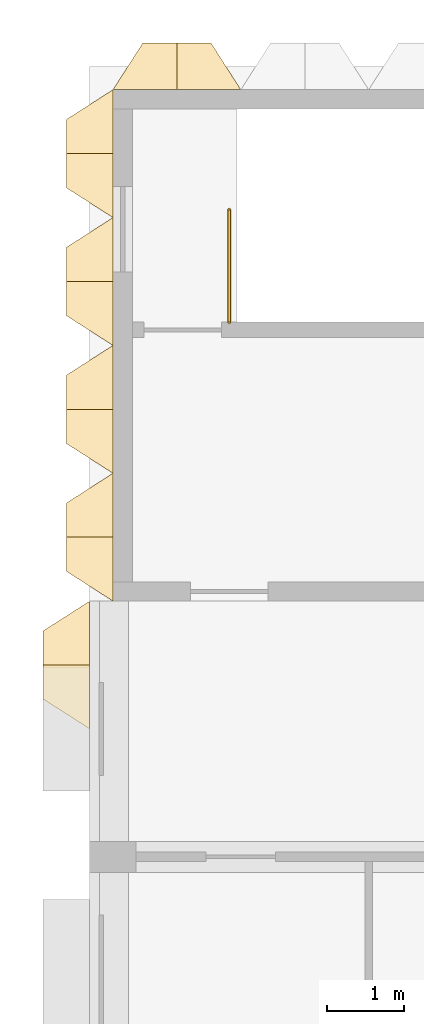
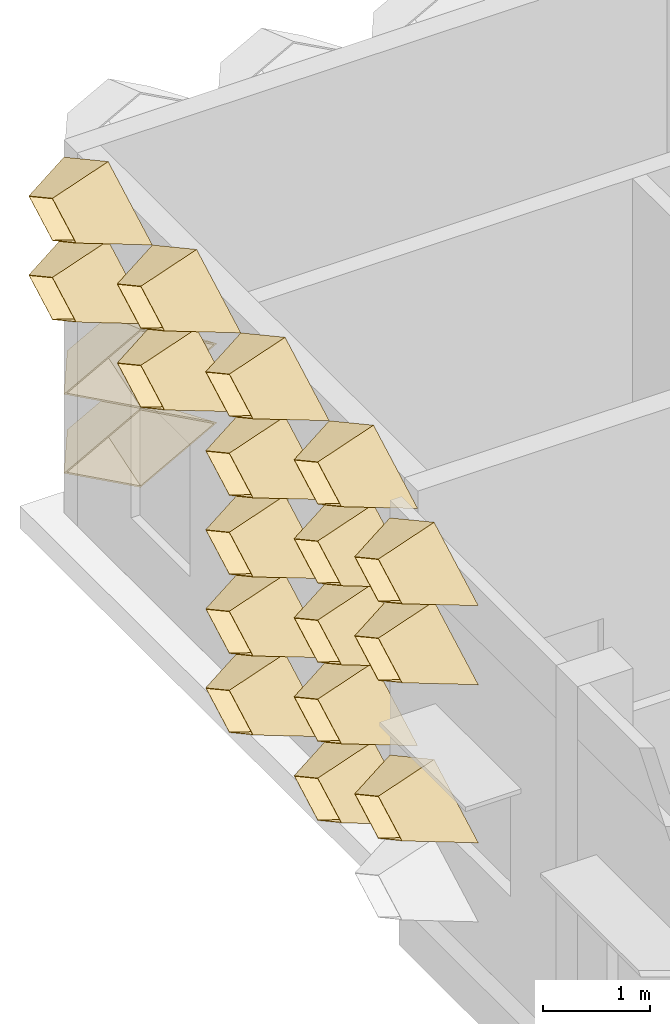
# One storey, part 74 of 85: 19 coverings, 1 railing.
"""IFC4 building model written with IfcOpenShell, lengths in metres."""

from ifc_helpers import new_model, entity, si_unit, direction, frame, origin, origin_2d, place, context, subcontext, project, spatial, circle, extrude, material, layer, layer_set, type_object, element, save


model = new_model("IFC4")

# Units and contexts
model_context = context("Model", 3, precision=1e-05, world=origin(), true_north=direction((0.0, 1.0)))
body_context = subcontext(model_context, "Body", "Model", "MODEL_VIEW")
ifc_project = project(units=[si_unit("LENGTHUNIT", "METRE"), si_unit("AREAUNIT", "SQUARE_METRE"), si_unit("VOLUMEUNIT", "CUBIC_METRE"), si_unit("PLANEANGLEUNIT", "RADIAN"), si_unit("MASSUNIT", "GRAM", prefix="KILO")], contexts=[model_context])

# Site, building, storey
site_placement = place(None, origin())
site = spatial("IfcSite", under=ifc_project, at=site_placement, CompositionType="ELEMENT")
building_placement = place(site_placement, origin())
building = spatial("IfcBuilding", under=site, at=building_placement, Name="Lantern Court Research Institute", CompositionType="ELEMENT")
storey_placement = place(building_placement, frame((0.0, 0.0, 18.89990234375)))
storey = spatial("IfcBuildingStorey", under=building, at=storey_placement, Name="L04", CompositionType="ELEMENT", Elevation=18.89990234375)

# Coverings
ifc_material_1 = material(Name="Anodised aluminium", Category="aluminium")
ifc_layer = layer(ifc_material_1, 0.01611328125)
ifc_layer_set = layer_set([ifc_layer], Name="Anodised aluminium")
covering_type = type_object("IfcCoveringType", Name="Fin cassette 1650 x 900 x 600 aluminium", PredefinedType="CLADDING", material=ifc_layer_set)
covering_1_placement = place(storey_placement, frame((0.824951171875, 99.0, 0.4501953125), z_axis=(0.0, 1.0, 0.0), x_axis=(-1.0, 0.0, 0.0)))
cartesian_point_1 = entity("IfcCartesianPoint", [0.824951171875, 0.0])
cartesian_point_2 = entity("IfcCartesianPoint", [0.79150390625, 0.0])
cartesian_point_3 = entity("IfcCartesianPoint", [0.44189453125, 0.0])
cartesian_point_4 = entity("IfcCartesianPoint", [0.43359375, 0.0])
element("IfcCovering", 1, at=covering_1_placement, inside=storey, type_object=covering_type, Name="Fin cassette V6N-L04 1.1", PredefinedType="CLADDING", context=body_context, shape_type="SweptSolid", body=[
    entity("IfcExtrudedAreaSolidTapered", entity("IfcArbitraryProfileDefWithVoids", "AREA", None, entity("IfcPolyline", [cartesian_point_1, entity("IfcCartesianPoint", [0.0, 0.449951171875]), entity("IfcCartesianPoint", [-0.824951171875, 0.0]), entity("IfcCartesianPoint", [0.0, -0.449951171875]), cartesian_point_1]), [entity("IfcPolyline", [cartesian_point_2, entity("IfcCartesianPoint", [0.0, 0.431884765625]), entity("IfcCartesianPoint", [-0.79150390625, 0.0]), entity("IfcCartesianPoint", [0.0, -0.431884765625]), cartesian_point_2])]), entity("IfcAxis2Placement3D", entity("IfcCartesianPoint", [0.0, 0.0, 0.0])), entity("IfcDirection", [0.0, 0.0, 1.0]), 0.60009765625, entity("IfcArbitraryProfileDefWithVoids", "AREA", None, entity("IfcPolyline", [cartesian_point_3, entity("IfcCartesianPoint", [0.0, 0.240966796875]), entity("IfcCartesianPoint", [-0.44189453125, 0.0]), entity("IfcCartesianPoint", [0.0, -0.240966796875]), cartesian_point_3]), [entity("IfcPolyline", [cartesian_point_4, entity("IfcCartesianPoint", [0.0, 0.236572265625]), entity("IfcCartesianPoint", [-0.43359375, 0.0]), entity("IfcCartesianPoint", [0.0, -0.236572265625]), cartesian_point_4])])),
])
covering_2_placement = place(storey_placement, frame((0.824951171875, 99.0, 1.35009765625), z_axis=(0.0, 1.0, 0.0), x_axis=(-1.0, 0.0, 0.0)))
cartesian_point_5 = entity("IfcCartesianPoint", [0.824951171875, 0.0])
cartesian_point_6 = entity("IfcCartesianPoint", [0.79150390625, 0.0])
cartesian_point_7 = entity("IfcCartesianPoint", [0.44189453125, 0.0])
cartesian_point_8 = entity("IfcCartesianPoint", [0.43359375, 0.0])
element("IfcCovering", 2, at=covering_2_placement, inside=storey, type_object=covering_type, Name="Fin cassette V6N-L04 2.1", PredefinedType="CLADDING", context=body_context, shape_type="SweptSolid", body=[
    entity("IfcExtrudedAreaSolidTapered", entity("IfcArbitraryProfileDefWithVoids", "AREA", None, entity("IfcPolyline", [cartesian_point_5, entity("IfcCartesianPoint", [0.0, 0.449951171875]), entity("IfcCartesianPoint", [-0.824951171875, 0.0]), entity("IfcCartesianPoint", [0.0, -0.449951171875]), cartesian_point_5]), [entity("IfcPolyline", [cartesian_point_6, entity("IfcCartesianPoint", [0.0, 0.431884765625]), entity("IfcCartesianPoint", [-0.79150390625, 0.0]), entity("IfcCartesianPoint", [0.0, -0.431884765625]), cartesian_point_6])]), entity("IfcAxis2Placement3D", entity("IfcCartesianPoint", [0.0, 0.0, 0.0])), entity("IfcDirection", [0.0, 0.0, 1.0]), 0.60009765625, entity("IfcArbitraryProfileDefWithVoids", "AREA", None, entity("IfcPolyline", [cartesian_point_7, entity("IfcCartesianPoint", [0.0, 0.240966796875]), entity("IfcCartesianPoint", [-0.44189453125, 0.0]), entity("IfcCartesianPoint", [0.0, -0.240966796875]), cartesian_point_7]), [entity("IfcPolyline", [cartesian_point_8, entity("IfcCartesianPoint", [0.0, 0.236572265625]), entity("IfcCartesianPoint", [-0.43359375, 0.0]), entity("IfcCartesianPoint", [0.0, -0.236572265625]), cartesian_point_8])])),
])
covering_3_placement = place(storey_placement, frame((0.0, 93.22509765625, 0.4501953125), z_axis=(-1.0, 0.0, 0.0), x_axis=(0.0, -1.0, 0.0)))
cartesian_point_9 = entity("IfcCartesianPoint", [0.824951171875, 0.0])
cartesian_point_10 = entity("IfcCartesianPoint", [0.79150390625, 0.0])
cartesian_point_11 = entity("IfcCartesianPoint", [0.44189453125, 0.0])
cartesian_point_12 = entity("IfcCartesianPoint", [0.43359375, 0.0])
element("IfcCovering", 3, at=covering_3_placement, inside=storey, type_object=covering_type, Name="Fin cassette V6W-L04 1.57", PredefinedType="CLADDING", context=body_context, shape_type="SweptSolid", body=[
    entity("IfcExtrudedAreaSolidTapered", entity("IfcArbitraryProfileDefWithVoids", "AREA", None, entity("IfcPolyline", [cartesian_point_9, entity("IfcCartesianPoint", [0.0, 0.449951171875]), entity("IfcCartesianPoint", [-0.824951171875, 0.0]), entity("IfcCartesianPoint", [0.0, -0.449951171875]), cartesian_point_9]), [entity("IfcPolyline", [cartesian_point_10, entity("IfcCartesianPoint", [0.0, 0.431884765625]), entity("IfcCartesianPoint", [-0.79150390625, 0.0]), entity("IfcCartesianPoint", [0.0, -0.431884765625]), cartesian_point_10])]), entity("IfcAxis2Placement3D", entity("IfcCartesianPoint", [0.0, 0.0, 0.0])), entity("IfcDirection", [0.0, 0.0, 1.0]), 0.60009765625, entity("IfcArbitraryProfileDefWithVoids", "AREA", None, entity("IfcPolyline", [cartesian_point_11, entity("IfcCartesianPoint", [0.0, 0.240966796875]), entity("IfcCartesianPoint", [-0.44189453125, 0.0]), entity("IfcCartesianPoint", [0.0, -0.240966796875]), cartesian_point_11]), [entity("IfcPolyline", [cartesian_point_12, entity("IfcCartesianPoint", [0.0, 0.236572265625]), entity("IfcCartesianPoint", [-0.43359375, 0.0]), entity("IfcCartesianPoint", [0.0, -0.236572265625]), cartesian_point_12])])),
])
covering_4_placement = place(storey_placement, frame((0.0, 94.875, 0.4501953125), z_axis=(-1.0, 0.0, 0.0), x_axis=(0.0, -1.0, 0.0)))
cartesian_point_13 = entity("IfcCartesianPoint", [0.824951171875, 0.0])
cartesian_point_14 = entity("IfcCartesianPoint", [0.79150390625, 0.0])
cartesian_point_15 = entity("IfcCartesianPoint", [0.44189453125, 0.0])
cartesian_point_16 = entity("IfcCartesianPoint", [0.43359375, 0.0])
element("IfcCovering", 4, at=covering_4_placement, inside=storey, type_object=covering_type, Name="Fin cassette V6W-L04 1.58", PredefinedType="CLADDING", context=body_context, shape_type="SweptSolid", body=[
    entity("IfcExtrudedAreaSolidTapered", entity("IfcArbitraryProfileDefWithVoids", "AREA", None, entity("IfcPolyline", [cartesian_point_13, entity("IfcCartesianPoint", [0.0, 0.449951171875]), entity("IfcCartesianPoint", [-0.824951171875, 0.0]), entity("IfcCartesianPoint", [0.0, -0.449951171875]), cartesian_point_13]), [entity("IfcPolyline", [cartesian_point_14, entity("IfcCartesianPoint", [0.0, 0.431884765625]), entity("IfcCartesianPoint", [-0.79150390625, 0.0]), entity("IfcCartesianPoint", [0.0, -0.431884765625]), cartesian_point_14])]), entity("IfcAxis2Placement3D", entity("IfcCartesianPoint", [0.0, 0.0, 0.0])), entity("IfcDirection", [0.0, 0.0, 1.0]), 0.60009765625, entity("IfcArbitraryProfileDefWithVoids", "AREA", None, entity("IfcPolyline", [cartesian_point_15, entity("IfcCartesianPoint", [0.0, 0.240966796875]), entity("IfcCartesianPoint", [-0.44189453125, 0.0]), entity("IfcCartesianPoint", [0.0, -0.240966796875]), cartesian_point_15]), [entity("IfcPolyline", [cartesian_point_16, entity("IfcCartesianPoint", [0.0, 0.236572265625]), entity("IfcCartesianPoint", [-0.43359375, 0.0]), entity("IfcCartesianPoint", [0.0, -0.236572265625]), cartesian_point_16])])),
])
covering_5_placement = place(storey_placement, frame((0.0, 93.22509765625, 1.35009765625), z_axis=(-1.0, 0.0, 0.0), x_axis=(0.0, -1.0, 0.0)))
cartesian_point_17 = entity("IfcCartesianPoint", [0.824951171875, 0.0])
cartesian_point_18 = entity("IfcCartesianPoint", [0.79150390625, 0.0])
cartesian_point_19 = entity("IfcCartesianPoint", [0.44189453125, 0.0])
cartesian_point_20 = entity("IfcCartesianPoint", [0.43359375, 0.0])
element("IfcCovering", 5, at=covering_5_placement, inside=storey, type_object=covering_type, Name="Fin cassette V6W-L04 2.57", PredefinedType="CLADDING", context=body_context, shape_type="SweptSolid", body=[
    entity("IfcExtrudedAreaSolidTapered", entity("IfcArbitraryProfileDefWithVoids", "AREA", None, entity("IfcPolyline", [cartesian_point_17, entity("IfcCartesianPoint", [0.0, 0.449951171875]), entity("IfcCartesianPoint", [-0.824951171875, 0.0]), entity("IfcCartesianPoint", [0.0, -0.449951171875]), cartesian_point_17]), [entity("IfcPolyline", [cartesian_point_18, entity("IfcCartesianPoint", [0.0, 0.431884765625]), entity("IfcCartesianPoint", [-0.79150390625, 0.0]), entity("IfcCartesianPoint", [0.0, -0.431884765625]), cartesian_point_18])]), entity("IfcAxis2Placement3D", entity("IfcCartesianPoint", [0.0, 0.0, 0.0])), entity("IfcDirection", [0.0, 0.0, 1.0]), 0.60009765625, entity("IfcArbitraryProfileDefWithVoids", "AREA", None, entity("IfcPolyline", [cartesian_point_19, entity("IfcCartesianPoint", [0.0, 0.240966796875]), entity("IfcCartesianPoint", [-0.44189453125, 0.0]), entity("IfcCartesianPoint", [0.0, -0.240966796875]), cartesian_point_19]), [entity("IfcPolyline", [cartesian_point_20, entity("IfcCartesianPoint", [0.0, 0.236572265625]), entity("IfcCartesianPoint", [-0.43359375, 0.0]), entity("IfcCartesianPoint", [0.0, -0.236572265625]), cartesian_point_20])])),
])
covering_6_placement = place(storey_placement, frame((0.0, 94.875, 1.35009765625), z_axis=(-1.0, 0.0, 0.0), x_axis=(0.0, -1.0, 0.0)))
cartesian_point_21 = entity("IfcCartesianPoint", [0.824951171875, 0.0])
cartesian_point_22 = entity("IfcCartesianPoint", [0.79150390625, 0.0])
cartesian_point_23 = entity("IfcCartesianPoint", [0.44189453125, 0.0])
cartesian_point_24 = entity("IfcCartesianPoint", [0.43359375, 0.0])
element("IfcCovering", 6, at=covering_6_placement, inside=storey, type_object=covering_type, Name="Fin cassette V6W-L04 2.58", PredefinedType="CLADDING", context=body_context, shape_type="SweptSolid", body=[
    entity("IfcExtrudedAreaSolidTapered", entity("IfcArbitraryProfileDefWithVoids", "AREA", None, entity("IfcPolyline", [cartesian_point_21, entity("IfcCartesianPoint", [0.0, 0.449951171875]), entity("IfcCartesianPoint", [-0.824951171875, 0.0]), entity("IfcCartesianPoint", [0.0, -0.449951171875]), cartesian_point_21]), [entity("IfcPolyline", [cartesian_point_22, entity("IfcCartesianPoint", [0.0, 0.431884765625]), entity("IfcCartesianPoint", [-0.79150390625, 0.0]), entity("IfcCartesianPoint", [0.0, -0.431884765625]), cartesian_point_22])]), entity("IfcAxis2Placement3D", entity("IfcCartesianPoint", [0.0, 0.0, 0.0])), entity("IfcDirection", [0.0, 0.0, 1.0]), 0.60009765625, entity("IfcArbitraryProfileDefWithVoids", "AREA", None, entity("IfcPolyline", [cartesian_point_23, entity("IfcCartesianPoint", [0.0, 0.240966796875]), entity("IfcCartesianPoint", [-0.44189453125, 0.0]), entity("IfcCartesianPoint", [0.0, -0.240966796875]), cartesian_point_23]), [entity("IfcPolyline", [cartesian_point_24, entity("IfcCartesianPoint", [0.0, 0.236572265625]), entity("IfcCartesianPoint", [-0.43359375, 0.0]), entity("IfcCartesianPoint", [0.0, -0.236572265625]), cartesian_point_24])])),
])
covering_7_placement = place(storey_placement, frame((0.0, 93.22509765625, 2.25), z_axis=(-1.0, 0.0, 0.0), x_axis=(0.0, -1.0, 0.0)))
cartesian_point_25 = entity("IfcCartesianPoint", [0.824951171875, 0.0])
cartesian_point_26 = entity("IfcCartesianPoint", [0.79150390625, 0.0])
cartesian_point_27 = entity("IfcCartesianPoint", [0.44189453125, 0.0])
cartesian_point_28 = entity("IfcCartesianPoint", [0.43359375, 0.0])
element("IfcCovering", 7, at=covering_7_placement, inside=storey, type_object=covering_type, Name="Fin cassette V6W-L04 3.57", PredefinedType="CLADDING", context=body_context, shape_type="SweptSolid", body=[
    entity("IfcExtrudedAreaSolidTapered", entity("IfcArbitraryProfileDefWithVoids", "AREA", None, entity("IfcPolyline", [cartesian_point_25, entity("IfcCartesianPoint", [0.0, 0.449951171875]), entity("IfcCartesianPoint", [-0.824951171875, 0.0]), entity("IfcCartesianPoint", [0.0, -0.449951171875]), cartesian_point_25]), [entity("IfcPolyline", [cartesian_point_26, entity("IfcCartesianPoint", [0.0, 0.431884765625]), entity("IfcCartesianPoint", [-0.79150390625, 0.0]), entity("IfcCartesianPoint", [0.0, -0.431884765625]), cartesian_point_26])]), entity("IfcAxis2Placement3D", entity("IfcCartesianPoint", [0.0, 0.0, 0.0])), entity("IfcDirection", [0.0, 0.0, 1.0]), 0.60009765625, entity("IfcArbitraryProfileDefWithVoids", "AREA", None, entity("IfcPolyline", [cartesian_point_27, entity("IfcCartesianPoint", [0.0, 0.240966796875]), entity("IfcCartesianPoint", [-0.44189453125, 0.0]), entity("IfcCartesianPoint", [0.0, -0.240966796875]), cartesian_point_27]), [entity("IfcPolyline", [cartesian_point_28, entity("IfcCartesianPoint", [0.0, 0.236572265625]), entity("IfcCartesianPoint", [-0.43359375, 0.0]), entity("IfcCartesianPoint", [0.0, -0.236572265625]), cartesian_point_28])])),
])
covering_8_placement = place(storey_placement, frame((0.0, 94.875, 2.25), z_axis=(-1.0, 0.0, 0.0), x_axis=(0.0, -1.0, 0.0)))
cartesian_point_29 = entity("IfcCartesianPoint", [0.824951171875, 0.0])
cartesian_point_30 = entity("IfcCartesianPoint", [0.79150390625, 0.0])
cartesian_point_31 = entity("IfcCartesianPoint", [0.44189453125, 0.0])
cartesian_point_32 = entity("IfcCartesianPoint", [0.43359375, 0.0])
element("IfcCovering", 8, at=covering_8_placement, inside=storey, type_object=covering_type, Name="Fin cassette V6W-L04 3.58", PredefinedType="CLADDING", context=body_context, shape_type="SweptSolid", body=[
    entity("IfcExtrudedAreaSolidTapered", entity("IfcArbitraryProfileDefWithVoids", "AREA", None, entity("IfcPolyline", [cartesian_point_29, entity("IfcCartesianPoint", [0.0, 0.449951171875]), entity("IfcCartesianPoint", [-0.824951171875, 0.0]), entity("IfcCartesianPoint", [0.0, -0.449951171875]), cartesian_point_29]), [entity("IfcPolyline", [cartesian_point_30, entity("IfcCartesianPoint", [0.0, 0.431884765625]), entity("IfcCartesianPoint", [-0.79150390625, 0.0]), entity("IfcCartesianPoint", [0.0, -0.431884765625]), cartesian_point_30])]), entity("IfcAxis2Placement3D", entity("IfcCartesianPoint", [0.0, 0.0, 0.0])), entity("IfcDirection", [0.0, 0.0, 1.0]), 0.60009765625, entity("IfcArbitraryProfileDefWithVoids", "AREA", None, entity("IfcPolyline", [cartesian_point_31, entity("IfcCartesianPoint", [0.0, 0.240966796875]), entity("IfcCartesianPoint", [-0.44189453125, 0.0]), entity("IfcCartesianPoint", [0.0, -0.240966796875]), cartesian_point_31]), [entity("IfcPolyline", [cartesian_point_32, entity("IfcCartesianPoint", [0.0, 0.236572265625]), entity("IfcCartesianPoint", [-0.43359375, 0.0]), entity("IfcCartesianPoint", [0.0, -0.236572265625]), cartesian_point_32])])),
])
covering_9_placement = place(storey_placement, frame((0.0, 93.22509765625, 3.150146484375), z_axis=(-1.0, 0.0, 0.0), x_axis=(0.0, -1.0, 0.0)))
cartesian_point_33 = entity("IfcCartesianPoint", [0.824951171875, 0.0])
cartesian_point_34 = entity("IfcCartesianPoint", [0.79150390625, 0.0])
cartesian_point_35 = entity("IfcCartesianPoint", [0.44189453125, 0.0])
cartesian_point_36 = entity("IfcCartesianPoint", [0.43359375, 0.0])
element("IfcCovering", 9, at=covering_9_placement, inside=storey, type_object=covering_type, Name="Fin cassette V6W-L04 4.57", PredefinedType="CLADDING", context=body_context, shape_type="SweptSolid", body=[
    entity("IfcExtrudedAreaSolidTapered", entity("IfcArbitraryProfileDefWithVoids", "AREA", None, entity("IfcPolyline", [cartesian_point_33, entity("IfcCartesianPoint", [0.0, 0.449951171875]), entity("IfcCartesianPoint", [-0.824951171875, 0.0]), entity("IfcCartesianPoint", [0.0, -0.449951171875]), cartesian_point_33]), [entity("IfcPolyline", [cartesian_point_34, entity("IfcCartesianPoint", [0.0, 0.431884765625]), entity("IfcCartesianPoint", [-0.79150390625, 0.0]), entity("IfcCartesianPoint", [0.0, -0.431884765625]), cartesian_point_34])]), entity("IfcAxis2Placement3D", entity("IfcCartesianPoint", [0.0, 0.0, 0.0])), entity("IfcDirection", [0.0, 0.0, 1.0]), 0.60009765625, entity("IfcArbitraryProfileDefWithVoids", "AREA", None, entity("IfcPolyline", [cartesian_point_35, entity("IfcCartesianPoint", [0.0, 0.240966796875]), entity("IfcCartesianPoint", [-0.44189453125, 0.0]), entity("IfcCartesianPoint", [0.0, -0.240966796875]), cartesian_point_35]), [entity("IfcPolyline", [cartesian_point_36, entity("IfcCartesianPoint", [0.0, 0.236572265625]), entity("IfcCartesianPoint", [-0.43359375, 0.0]), entity("IfcCartesianPoint", [0.0, -0.236572265625]), cartesian_point_36])])),
])
covering_10_placement = place(storey_placement, frame((0.0, 94.875, 3.150146484375), z_axis=(-1.0, 0.0, 0.0), x_axis=(0.0, -1.0, 0.0)))
cartesian_point_37 = entity("IfcCartesianPoint", [0.824951171875, 0.0])
cartesian_point_38 = entity("IfcCartesianPoint", [0.79150390625, 0.0])
cartesian_point_39 = entity("IfcCartesianPoint", [0.44189453125, 0.0])
cartesian_point_40 = entity("IfcCartesianPoint", [0.43359375, 0.0])
element("IfcCovering", 10, at=covering_10_placement, inside=storey, type_object=covering_type, Name="Fin cassette V6W-L04 4.58", PredefinedType="CLADDING", context=body_context, shape_type="SweptSolid", body=[
    entity("IfcExtrudedAreaSolidTapered", entity("IfcArbitraryProfileDefWithVoids", "AREA", None, entity("IfcPolyline", [cartesian_point_37, entity("IfcCartesianPoint", [0.0, 0.449951171875]), entity("IfcCartesianPoint", [-0.824951171875, 0.0]), entity("IfcCartesianPoint", [0.0, -0.449951171875]), cartesian_point_37]), [entity("IfcPolyline", [cartesian_point_38, entity("IfcCartesianPoint", [0.0, 0.431884765625]), entity("IfcCartesianPoint", [-0.79150390625, 0.0]), entity("IfcCartesianPoint", [0.0, -0.431884765625]), cartesian_point_38])]), entity("IfcAxis2Placement3D", entity("IfcCartesianPoint", [0.0, 0.0, 0.0])), entity("IfcDirection", [0.0, 0.0, 1.0]), 0.60009765625, entity("IfcArbitraryProfileDefWithVoids", "AREA", None, entity("IfcPolyline", [cartesian_point_39, entity("IfcCartesianPoint", [0.0, 0.240966796875]), entity("IfcCartesianPoint", [-0.44189453125, 0.0]), entity("IfcCartesianPoint", [0.0, -0.240966796875]), cartesian_point_39]), [entity("IfcPolyline", [cartesian_point_40, entity("IfcCartesianPoint", [0.0, 0.236572265625]), entity("IfcCartesianPoint", [-0.43359375, 0.0]), entity("IfcCartesianPoint", [0.0, -0.236572265625]), cartesian_point_40])])),
])
covering_11_placement = place(storey_placement, frame((0.0, 96.52490234375, 3.150146484375), z_axis=(-1.0, 0.0, 0.0), x_axis=(0.0, -1.0, 0.0)))
cartesian_point_41 = entity("IfcCartesianPoint", [0.824951171875, 0.0])
cartesian_point_42 = entity("IfcCartesianPoint", [0.79150390625, 0.0])
cartesian_point_43 = entity("IfcCartesianPoint", [0.44189453125, 0.0])
cartesian_point_44 = entity("IfcCartesianPoint", [0.43359375, 0.0])
element("IfcCovering", 11, at=covering_11_placement, inside=storey, type_object=covering_type, Name="Fin cassette V6W-L04 4.59", PredefinedType="CLADDING", context=body_context, shape_type="SweptSolid", body=[
    entity("IfcExtrudedAreaSolidTapered", entity("IfcArbitraryProfileDefWithVoids", "AREA", None, entity("IfcPolyline", [cartesian_point_41, entity("IfcCartesianPoint", [0.0, 0.449951171875]), entity("IfcCartesianPoint", [-0.824951171875, 0.0]), entity("IfcCartesianPoint", [0.0, -0.449951171875]), cartesian_point_41]), [entity("IfcPolyline", [cartesian_point_42, entity("IfcCartesianPoint", [0.0, 0.431884765625]), entity("IfcCartesianPoint", [-0.79150390625, 0.0]), entity("IfcCartesianPoint", [0.0, -0.431884765625]), cartesian_point_42])]), entity("IfcAxis2Placement3D", entity("IfcCartesianPoint", [0.0, 0.0, 0.0])), entity("IfcDirection", [0.0, 0.0, 1.0]), 0.60009765625, entity("IfcArbitraryProfileDefWithVoids", "AREA", None, entity("IfcPolyline", [cartesian_point_43, entity("IfcCartesianPoint", [0.0, 0.240966796875]), entity("IfcCartesianPoint", [-0.44189453125, 0.0]), entity("IfcCartesianPoint", [0.0, -0.240966796875]), cartesian_point_43]), [entity("IfcPolyline", [cartesian_point_44, entity("IfcCartesianPoint", [0.0, 0.236572265625]), entity("IfcCartesianPoint", [-0.43359375, 0.0]), entity("IfcCartesianPoint", [0.0, -0.236572265625]), cartesian_point_44])])),
])
covering_12_placement = place(storey_placement, frame((0.0, 98.175048828125, 3.150146484375), z_axis=(-1.0, 0.0, 0.0), x_axis=(0.0, -1.0, 0.0)))
cartesian_point_45 = entity("IfcCartesianPoint", [0.824951171875, 0.0])
cartesian_point_46 = entity("IfcCartesianPoint", [0.79150390625, 0.0])
cartesian_point_47 = entity("IfcCartesianPoint", [0.44189453125, 0.0])
cartesian_point_48 = entity("IfcCartesianPoint", [0.43359375, 0.0])
element("IfcCovering", 12, at=covering_12_placement, inside=storey, type_object=covering_type, Name="Fin cassette V6W-L04 4.60", PredefinedType="CLADDING", context=body_context, shape_type="SweptSolid", body=[
    entity("IfcExtrudedAreaSolidTapered", entity("IfcArbitraryProfileDefWithVoids", "AREA", None, entity("IfcPolyline", [cartesian_point_45, entity("IfcCartesianPoint", [0.0, 0.449951171875]), entity("IfcCartesianPoint", [-0.824951171875, 0.0]), entity("IfcCartesianPoint", [0.0, -0.449951171875]), cartesian_point_45]), [entity("IfcPolyline", [cartesian_point_46, entity("IfcCartesianPoint", [0.0, 0.431884765625]), entity("IfcCartesianPoint", [-0.79150390625, 0.0]), entity("IfcCartesianPoint", [0.0, -0.431884765625]), cartesian_point_46])]), entity("IfcAxis2Placement3D", entity("IfcCartesianPoint", [0.0, 0.0, 0.0])), entity("IfcDirection", [0.0, 0.0, 1.0]), 0.60009765625, entity("IfcArbitraryProfileDefWithVoids", "AREA", None, entity("IfcPolyline", [cartesian_point_47, entity("IfcCartesianPoint", [0.0, 0.240966796875]), entity("IfcCartesianPoint", [-0.44189453125, 0.0]), entity("IfcCartesianPoint", [0.0, -0.240966796875]), cartesian_point_47]), [entity("IfcPolyline", [cartesian_point_48, entity("IfcCartesianPoint", [0.0, 0.236572265625]), entity("IfcCartesianPoint", [-0.43359375, 0.0]), entity("IfcCartesianPoint", [0.0, -0.236572265625]), cartesian_point_48])])),
])
covering_13_placement = place(storey_placement, frame((0.0, 93.22509765625, 4.050048828125), z_axis=(-1.0, 0.0, 0.0), x_axis=(0.0, -1.0, 0.0)))
cartesian_point_49 = entity("IfcCartesianPoint", [0.824951171875, 0.0])
cartesian_point_50 = entity("IfcCartesianPoint", [0.79150390625, 0.0])
cartesian_point_51 = entity("IfcCartesianPoint", [0.44189453125, 0.0])
cartesian_point_52 = entity("IfcCartesianPoint", [0.43359375, 0.0])
element("IfcCovering", 13, at=covering_13_placement, inside=storey, type_object=covering_type, Name="Fin cassette V6W-L04 5.57", PredefinedType="CLADDING", context=body_context, shape_type="SweptSolid", body=[
    entity("IfcExtrudedAreaSolidTapered", entity("IfcArbitraryProfileDefWithVoids", "AREA", None, entity("IfcPolyline", [cartesian_point_49, entity("IfcCartesianPoint", [0.0, 0.449951171875]), entity("IfcCartesianPoint", [-0.824951171875, 0.0]), entity("IfcCartesianPoint", [0.0, -0.449951171875]), cartesian_point_49]), [entity("IfcPolyline", [cartesian_point_50, entity("IfcCartesianPoint", [0.0, 0.431884765625]), entity("IfcCartesianPoint", [-0.79150390625, 0.0]), entity("IfcCartesianPoint", [0.0, -0.431884765625]), cartesian_point_50])]), entity("IfcAxis2Placement3D", entity("IfcCartesianPoint", [0.0, 0.0, 0.0])), entity("IfcDirection", [0.0, 0.0, 1.0]), 0.60009765625, entity("IfcArbitraryProfileDefWithVoids", "AREA", None, entity("IfcPolyline", [cartesian_point_51, entity("IfcCartesianPoint", [0.0, 0.240966796875]), entity("IfcCartesianPoint", [-0.44189453125, 0.0]), entity("IfcCartesianPoint", [0.0, -0.240966796875]), cartesian_point_51]), [entity("IfcPolyline", [cartesian_point_52, entity("IfcCartesianPoint", [0.0, 0.236572265625]), entity("IfcCartesianPoint", [-0.43359375, 0.0]), entity("IfcCartesianPoint", [0.0, -0.236572265625]), cartesian_point_52])])),
])
covering_14_placement = place(storey_placement, frame((0.0, 94.875, 4.050048828125), z_axis=(-1.0, 0.0, 0.0), x_axis=(0.0, -1.0, 0.0)))
cartesian_point_53 = entity("IfcCartesianPoint", [0.824951171875, 0.0])
cartesian_point_54 = entity("IfcCartesianPoint", [0.79150390625, 0.0])
cartesian_point_55 = entity("IfcCartesianPoint", [0.44189453125, 0.0])
cartesian_point_56 = entity("IfcCartesianPoint", [0.43359375, 0.0])
element("IfcCovering", 14, at=covering_14_placement, inside=storey, type_object=covering_type, Name="Fin cassette V6W-L04 5.58", PredefinedType="CLADDING", context=body_context, shape_type="SweptSolid", body=[
    entity("IfcExtrudedAreaSolidTapered", entity("IfcArbitraryProfileDefWithVoids", "AREA", None, entity("IfcPolyline", [cartesian_point_53, entity("IfcCartesianPoint", [0.0, 0.449951171875]), entity("IfcCartesianPoint", [-0.824951171875, 0.0]), entity("IfcCartesianPoint", [0.0, -0.449951171875]), cartesian_point_53]), [entity("IfcPolyline", [cartesian_point_54, entity("IfcCartesianPoint", [0.0, 0.431884765625]), entity("IfcCartesianPoint", [-0.79150390625, 0.0]), entity("IfcCartesianPoint", [0.0, -0.431884765625]), cartesian_point_54])]), entity("IfcAxis2Placement3D", entity("IfcCartesianPoint", [0.0, 0.0, 0.0])), entity("IfcDirection", [0.0, 0.0, 1.0]), 0.60009765625, entity("IfcArbitraryProfileDefWithVoids", "AREA", None, entity("IfcPolyline", [cartesian_point_55, entity("IfcCartesianPoint", [0.0, 0.240966796875]), entity("IfcCartesianPoint", [-0.44189453125, 0.0]), entity("IfcCartesianPoint", [0.0, -0.240966796875]), cartesian_point_55]), [entity("IfcPolyline", [cartesian_point_56, entity("IfcCartesianPoint", [0.0, 0.236572265625]), entity("IfcCartesianPoint", [-0.43359375, 0.0]), entity("IfcCartesianPoint", [0.0, -0.236572265625]), cartesian_point_56])])),
])
covering_15_placement = place(storey_placement, frame((0.0, 96.52490234375, 4.050048828125), z_axis=(-1.0, 0.0, 0.0), x_axis=(0.0, -1.0, 0.0)))
cartesian_point_57 = entity("IfcCartesianPoint", [0.824951171875, 0.0])
cartesian_point_58 = entity("IfcCartesianPoint", [0.79150390625, 0.0])
cartesian_point_59 = entity("IfcCartesianPoint", [0.44189453125, 0.0])
cartesian_point_60 = entity("IfcCartesianPoint", [0.43359375, 0.0])
element("IfcCovering", 15, at=covering_15_placement, inside=storey, type_object=covering_type, Name="Fin cassette V6W-L04 5.59", PredefinedType="CLADDING", context=body_context, shape_type="SweptSolid", body=[
    entity("IfcExtrudedAreaSolidTapered", entity("IfcArbitraryProfileDefWithVoids", "AREA", None, entity("IfcPolyline", [cartesian_point_57, entity("IfcCartesianPoint", [0.0, 0.449951171875]), entity("IfcCartesianPoint", [-0.824951171875, 0.0]), entity("IfcCartesianPoint", [0.0, -0.449951171875]), cartesian_point_57]), [entity("IfcPolyline", [cartesian_point_58, entity("IfcCartesianPoint", [0.0, 0.431884765625]), entity("IfcCartesianPoint", [-0.79150390625, 0.0]), entity("IfcCartesianPoint", [0.0, -0.431884765625]), cartesian_point_58])]), entity("IfcAxis2Placement3D", entity("IfcCartesianPoint", [0.0, 0.0, 0.0])), entity("IfcDirection", [0.0, 0.0, 1.0]), 0.60009765625, entity("IfcArbitraryProfileDefWithVoids", "AREA", None, entity("IfcPolyline", [cartesian_point_59, entity("IfcCartesianPoint", [0.0, 0.240966796875]), entity("IfcCartesianPoint", [-0.44189453125, 0.0]), entity("IfcCartesianPoint", [0.0, -0.240966796875]), cartesian_point_59]), [entity("IfcPolyline", [cartesian_point_60, entity("IfcCartesianPoint", [0.0, 0.236572265625]), entity("IfcCartesianPoint", [-0.43359375, 0.0]), entity("IfcCartesianPoint", [0.0, -0.236572265625]), cartesian_point_60])])),
])
covering_16_placement = place(storey_placement, frame((0.0, 98.175048828125, 4.050048828125), z_axis=(-1.0, 0.0, 0.0), x_axis=(0.0, -1.0, 0.0)))
cartesian_point_61 = entity("IfcCartesianPoint", [0.824951171875, 0.0])
cartesian_point_62 = entity("IfcCartesianPoint", [0.79150390625, 0.0])
cartesian_point_63 = entity("IfcCartesianPoint", [0.44189453125, 0.0])
cartesian_point_64 = entity("IfcCartesianPoint", [0.43359375, 0.0])
element("IfcCovering", 16, at=covering_16_placement, inside=storey, type_object=covering_type, Name="Fin cassette V6W-L04 5.60", PredefinedType="CLADDING", context=body_context, shape_type="SweptSolid", body=[
    entity("IfcExtrudedAreaSolidTapered", entity("IfcArbitraryProfileDefWithVoids", "AREA", None, entity("IfcPolyline", [cartesian_point_61, entity("IfcCartesianPoint", [0.0, 0.449951171875]), entity("IfcCartesianPoint", [-0.824951171875, 0.0]), entity("IfcCartesianPoint", [0.0, -0.449951171875]), cartesian_point_61]), [entity("IfcPolyline", [cartesian_point_62, entity("IfcCartesianPoint", [0.0, 0.431884765625]), entity("IfcCartesianPoint", [-0.79150390625, 0.0]), entity("IfcCartesianPoint", [0.0, -0.431884765625]), cartesian_point_62])]), entity("IfcAxis2Placement3D", entity("IfcCartesianPoint", [0.0, 0.0, 0.0])), entity("IfcDirection", [0.0, 0.0, 1.0]), 0.60009765625, entity("IfcArbitraryProfileDefWithVoids", "AREA", None, entity("IfcPolyline", [cartesian_point_63, entity("IfcCartesianPoint", [0.0, 0.240966796875]), entity("IfcCartesianPoint", [-0.44189453125, 0.0]), entity("IfcCartesianPoint", [0.0, -0.240966796875]), cartesian_point_63]), [entity("IfcPolyline", [cartesian_point_64, entity("IfcCartesianPoint", [0.0, 0.236572265625]), entity("IfcCartesianPoint", [-0.43359375, 0.0]), entity("IfcCartesianPoint", [0.0, -0.236572265625]), cartesian_point_64])])),
])
covering_17_placement = place(storey_placement, frame((-0.300048828125, 91.574951171875, 1.35009765625), z_axis=(-1.0, 0.0, 0.0), x_axis=(0.0, -1.0, 0.0)))
cartesian_point_65 = entity("IfcCartesianPoint", [0.824951171875, 0.0])
cartesian_point_66 = entity("IfcCartesianPoint", [0.79150390625, 0.0])
cartesian_point_67 = entity("IfcCartesianPoint", [0.44189453125, 0.0])
cartesian_point_68 = entity("IfcCartesianPoint", [0.43359375, 0.0])
element("IfcCovering", 17, at=covering_17_placement, inside=storey, type_object=covering_type, Name="Fin cassette V6W-L04 2.56", PredefinedType="CLADDING", context=body_context, shape_type="SweptSolid", body=[
    entity("IfcExtrudedAreaSolidTapered", entity("IfcArbitraryProfileDefWithVoids", "AREA", None, entity("IfcPolyline", [cartesian_point_65, entity("IfcCartesianPoint", [0.0, 0.449951171875]), entity("IfcCartesianPoint", [-0.824951171875, 0.0]), entity("IfcCartesianPoint", [0.0, -0.449951171875]), cartesian_point_65]), [entity("IfcPolyline", [cartesian_point_66, entity("IfcCartesianPoint", [0.0, 0.431884765625]), entity("IfcCartesianPoint", [-0.79150390625, 0.0]), entity("IfcCartesianPoint", [0.0, -0.431884765625]), cartesian_point_66])]), entity("IfcAxis2Placement3D", entity("IfcCartesianPoint", [0.0, 0.0, 0.0])), entity("IfcDirection", [0.0, 0.0, 1.0]), 0.60009765625, entity("IfcArbitraryProfileDefWithVoids", "AREA", None, entity("IfcPolyline", [cartesian_point_67, entity("IfcCartesianPoint", [0.0, 0.240966796875]), entity("IfcCartesianPoint", [-0.44189453125, 0.0]), entity("IfcCartesianPoint", [0.0, -0.240966796875]), cartesian_point_67]), [entity("IfcPolyline", [cartesian_point_68, entity("IfcCartesianPoint", [0.0, 0.236572265625]), entity("IfcCartesianPoint", [-0.43359375, 0.0]), entity("IfcCartesianPoint", [0.0, -0.236572265625]), cartesian_point_68])])),
])
covering_18_placement = place(storey_placement, frame((-0.300048828125, 91.574951171875, 3.150146484375), z_axis=(-1.0, 0.0, 0.0), x_axis=(0.0, -1.0, 0.0)))
cartesian_point_69 = entity("IfcCartesianPoint", [0.824951171875, 0.0])
cartesian_point_70 = entity("IfcCartesianPoint", [0.79150390625, 0.0])
cartesian_point_71 = entity("IfcCartesianPoint", [0.44189453125, 0.0])
cartesian_point_72 = entity("IfcCartesianPoint", [0.43359375, 0.0])
element("IfcCovering", 18, at=covering_18_placement, inside=storey, type_object=covering_type, Name="Fin cassette V6W-L04 4.56", PredefinedType="CLADDING", context=body_context, shape_type="SweptSolid", body=[
    entity("IfcExtrudedAreaSolidTapered", entity("IfcArbitraryProfileDefWithVoids", "AREA", None, entity("IfcPolyline", [cartesian_point_69, entity("IfcCartesianPoint", [0.0, 0.449951171875]), entity("IfcCartesianPoint", [-0.824951171875, 0.0]), entity("IfcCartesianPoint", [0.0, -0.449951171875]), cartesian_point_69]), [entity("IfcPolyline", [cartesian_point_70, entity("IfcCartesianPoint", [0.0, 0.431884765625]), entity("IfcCartesianPoint", [-0.79150390625, 0.0]), entity("IfcCartesianPoint", [0.0, -0.431884765625]), cartesian_point_70])]), entity("IfcAxis2Placement3D", entity("IfcCartesianPoint", [0.0, 0.0, 0.0])), entity("IfcDirection", [0.0, 0.0, 1.0]), 0.60009765625, entity("IfcArbitraryProfileDefWithVoids", "AREA", None, entity("IfcPolyline", [cartesian_point_71, entity("IfcCartesianPoint", [0.0, 0.240966796875]), entity("IfcCartesianPoint", [-0.44189453125, 0.0]), entity("IfcCartesianPoint", [0.0, -0.240966796875]), cartesian_point_71]), [entity("IfcPolyline", [cartesian_point_72, entity("IfcCartesianPoint", [0.0, 0.236572265625]), entity("IfcCartesianPoint", [-0.43359375, 0.0]), entity("IfcCartesianPoint", [0.0, -0.236572265625]), cartesian_point_72])])),
])
covering_19_placement = place(storey_placement, frame((-0.300048828125, 91.574951171875, 4.050048828125), z_axis=(-1.0, 0.0, 0.0), x_axis=(0.0, -1.0, 0.0)))
cartesian_point_73 = entity("IfcCartesianPoint", [0.824951171875, 0.0])
cartesian_point_74 = entity("IfcCartesianPoint", [0.79150390625, 0.0])
cartesian_point_75 = entity("IfcCartesianPoint", [0.44189453125, 0.0])
cartesian_point_76 = entity("IfcCartesianPoint", [0.43359375, 0.0])
element("IfcCovering", 19, at=covering_19_placement, inside=storey, type_object=covering_type, Name="Fin cassette V6W-L04 5.56", PredefinedType="CLADDING", context=body_context, shape_type="SweptSolid", body=[
    entity("IfcExtrudedAreaSolidTapered", entity("IfcArbitraryProfileDefWithVoids", "AREA", None, entity("IfcPolyline", [cartesian_point_73, entity("IfcCartesianPoint", [0.0, 0.449951171875]), entity("IfcCartesianPoint", [-0.824951171875, 0.0]), entity("IfcCartesianPoint", [0.0, -0.449951171875]), cartesian_point_73]), [entity("IfcPolyline", [cartesian_point_74, entity("IfcCartesianPoint", [0.0, 0.431884765625]), entity("IfcCartesianPoint", [-0.79150390625, 0.0]), entity("IfcCartesianPoint", [0.0, -0.431884765625]), cartesian_point_74])]), entity("IfcAxis2Placement3D", entity("IfcCartesianPoint", [0.0, 0.0, 0.0])), entity("IfcDirection", [0.0, 0.0, 1.0]), 0.60009765625, entity("IfcArbitraryProfileDefWithVoids", "AREA", None, entity("IfcPolyline", [cartesian_point_75, entity("IfcCartesianPoint", [0.0, 0.240966796875]), entity("IfcCartesianPoint", [-0.44189453125, 0.0]), entity("IfcCartesianPoint", [0.0, -0.240966796875]), cartesian_point_75]), [entity("IfcPolyline", [cartesian_point_76, entity("IfcCartesianPoint", [0.0, 0.236572265625]), entity("IfcCartesianPoint", [-0.43359375, 0.0]), entity("IfcCartesianPoint", [0.0, -0.236572265625]), cartesian_point_76])])),
])

# Railing
ifc_material_2 = material(Name="Structural steel S355", Category="steel")
railing_type = type_object("IfcRailingType", Name="Stair guard 1100 steel", PredefinedType="GUARDRAIL", material=ifc_material_2)
railing_placement = place(storey_placement, frame((1.5, 96.0, 0.0)))
element("IfcRailing", 20, at=railing_placement, inside=storey, type_object=railing_type, Name="L04 ST-W1 top well guard 1", PredefinedType="GUARDRAIL", context=body_context, shape_type="SweptSolid", body=[
    extrude(circle(Radius=0.02392578125, at=origin_2d()), frame((0.0, 0.0, 1.076171875), z_axis=(0.0, 1.0, 0.0), x_axis=(-1.0, 0.0, 0.0)), (0.0, 0.0, 1.0), 1.449951171875),
    extrude(circle(Radius=0.02099609375, at=origin_2d()), origin(), (0.0, 0.0, 1.0), 1.052001953125),
    extrude(circle(Radius=0.02099609375, at=origin_2d()), frame((0.0, 0.72509765625, 0.0)), (0.0, 0.0, 1.0), 1.052001953125),
    extrude(circle(Radius=0.02099609375, at=origin_2d()), frame((0.0, 1.449951171875, 0.0)), (0.0, 0.0, 1.0), 1.052001953125),
])

save(model, "model.ifc")
